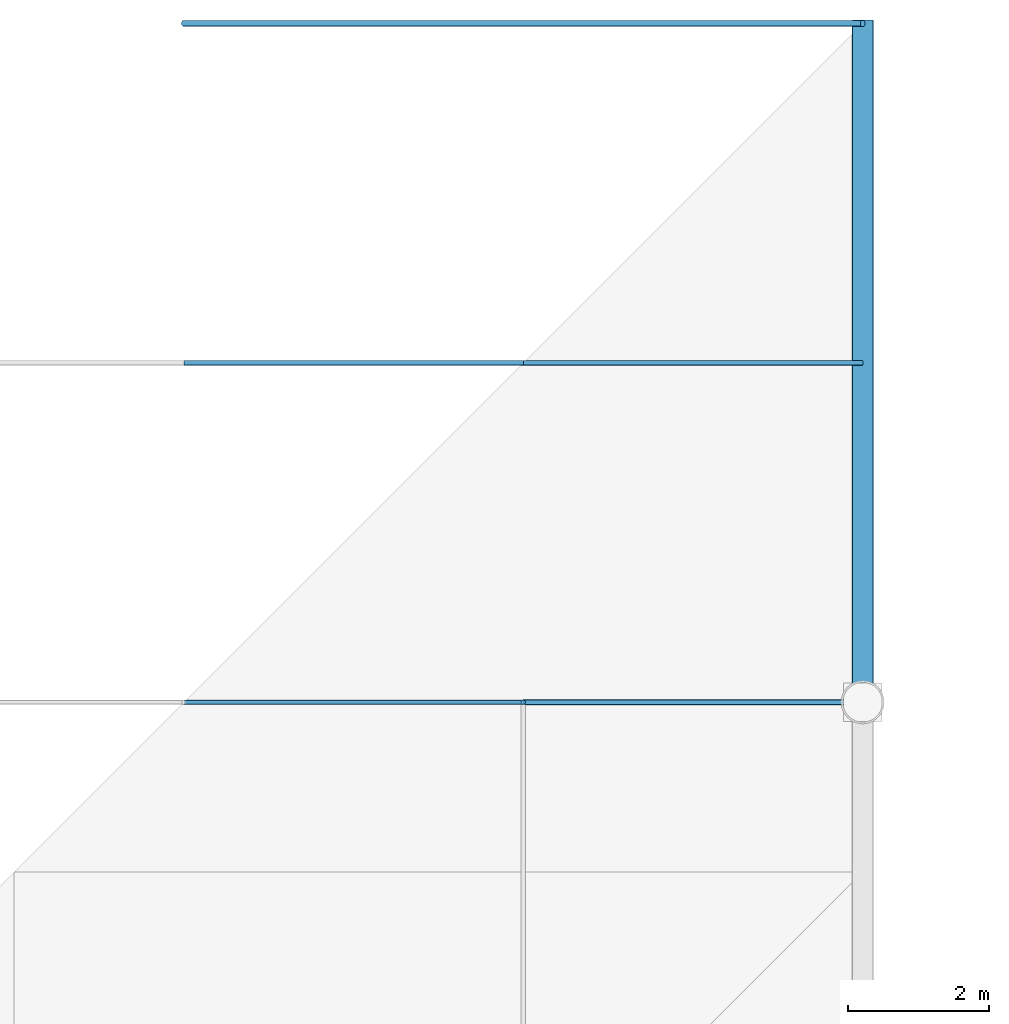
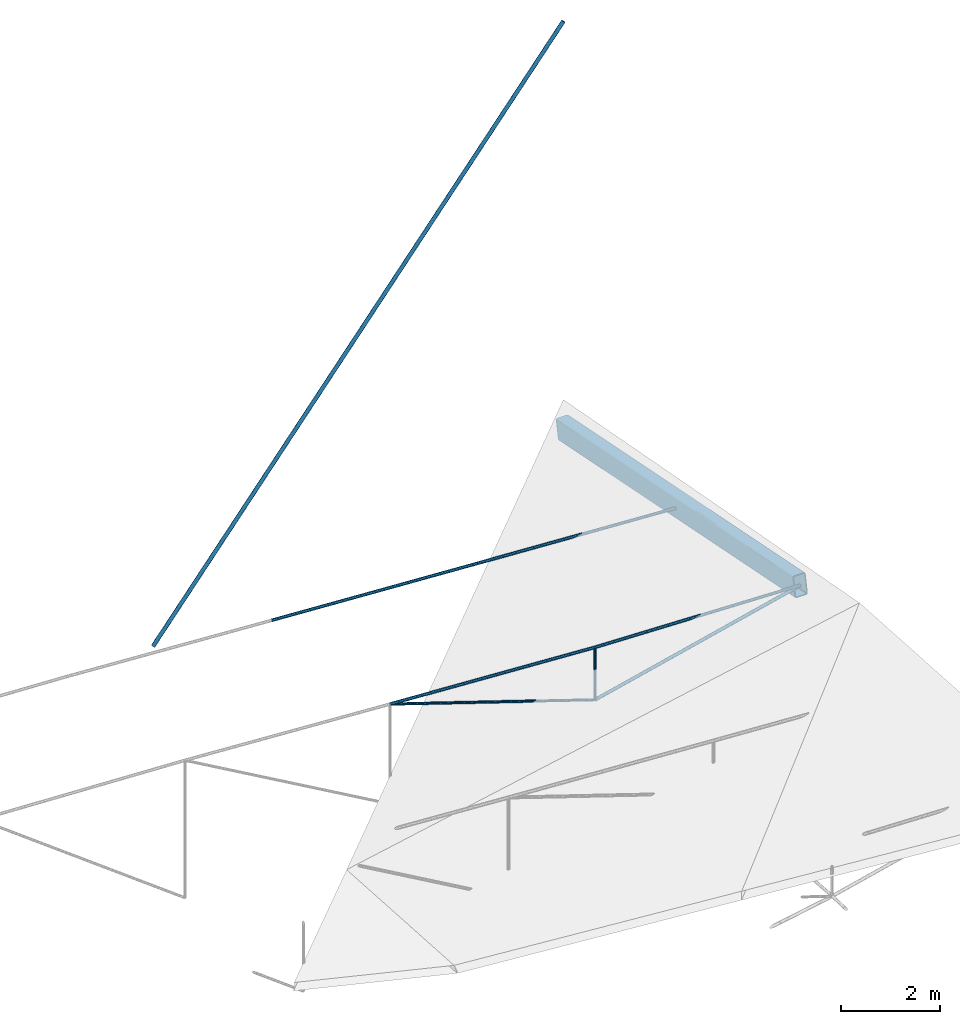
# One storey, part 34 of 50: 8 members, 1 beam.
"""IFC4 building model written with IfcOpenShell, lengths in metres."""

from ifc_helpers import new_model, si_unit, direction, frame, origin, origin_2d, place, context, subcontext, project, spatial, hollow_rectangle, circle, extrude, material, material_profile, profile_set, type_object, element, save


model = new_model("IFC4")

# Units and contexts
model_context = context("Model", 3, precision=1e-05, world=origin(), true_north=direction((0.0, 1.0)))
body_context = subcontext(model_context, "Body", "Model", "MODEL_VIEW")
ifc_project = project(units=[si_unit("LENGTHUNIT", "METRE"), si_unit("AREAUNIT", "SQUARE_METRE"), si_unit("VOLUMEUNIT", "CUBIC_METRE"), si_unit("PLANEANGLEUNIT", "RADIAN"), si_unit("MASSUNIT", "GRAM", prefix="KILO")], contexts=[model_context])

# Site, building, storey
site_placement = place(None, origin())
site = spatial("IfcSite", under=ifc_project, at=site_placement, CompositionType="ELEMENT")
building_placement = place(site_placement, origin())
building = spatial("IfcBuilding", under=site, at=building_placement, Name="Zevrakil Square Congress Hotel", CompositionType="ELEMENT")
storey_placement = place(building_placement, frame((0.0, 0.0, 21.5)))
storey = spatial("IfcBuildingStorey", under=building, at=storey_placement, Name="L06", CompositionType="ELEMENT", Elevation=21.5)

# Members
ifc_material_1 = material(Name="Steel S355", Category="steel")
ifc_material_profile_1 = material_profile(ifc_material_1, circle(Radius=0.030029296875, at=origin_2d()), Name="CABLE RD60")
ifc_profile_set_1 = profile_set([ifc_material_profile_1], Name="Steel S355")
member_type_1 = type_object("IfcMemberType", Name="MEM-CABLE-RD60", PredefinedType="USERDEFINED", material=ifc_profile_set_1)
member_1_placement = place(storey_placement, frame((160.800048828125, 103.199951171875, 0.01806640625), z_axis=(-0.95029004287, 0.0, 0.311366077828), x_axis=(0.0, -1.0, 0.0)))
element("IfcMember", 1, at=member_1_placement, inside=storey, type_object=member_type_1, Name="Congress cable-truss web diagonal CBD-08-9", ObjectType="ROOF CABLE", PredefinedType="USERDEFINED", context=body_context, shape_type="SweptSolid", body=[
    extrude(circle(Radius=0.030029296875, at=origin_2d()), origin(), (0.0, 0.0, 1.0), 5.051025390625),
])
member_2_placement = place(storey_placement, frame((160.800048828125, 103.199951171875, 0.01806640625), z_axis=(0.0, 0.0, 1.0), x_axis=(1.0, 0.0, 0.0)))
element("IfcMember", 2, at=member_2_placement, inside=storey, type_object=member_type_1, Name="Congress cable-truss vertical tie CBW-08-9", ObjectType="ROOF CABLE", PredefinedType="USERDEFINED", context=body_context, shape_type="SweptSolid", body=[
    extrude(circle(Radius=0.030029296875, at=origin_2d()), origin(), (0.0, 0.0, 1.0), 1.2978515625),
])
ifc_material_2 = material(Name="Steel S355", Category="steel")
ifc_material_profile_2 = material_profile(ifc_material_2, circle(Radius=0.033935546875, at=origin_2d()), Name="CABLE RD68")
ifc_profile_set_2 = profile_set([ifc_material_profile_2], Name="Steel S355")
member_type_2 = type_object("IfcMemberType", Name="MEM-CABLE-RD68", PredefinedType="USERDEFINED", material=ifc_profile_set_2)
member_3_placement = place(storey_placement, frame((156.0, 103.199951171875, 1.5908203125), z_axis=(0.998364054477, 0.0, -0.057177047217), x_axis=(0.0, 1.0, 0.0)))
element("IfcMember", 3, at=member_3_placement, inside=storey, type_object=member_type_2, Name="Congress lenticular upper cable chord CBU-08 seg 9", ObjectType="ROOF CABLE", PredefinedType="USERDEFINED", context=body_context, shape_type="SweptSolid", body=[
    extrude(circle(Radius=0.033935546875, at=origin_2d()), origin(), (0.0, 0.0, 1.0), 4.807861328125),
])
member_4_placement = place(storey_placement, frame((160.800048828125, 103.199951171875, 1.31591796875), z_axis=(0.999537768043, 0.0, -0.030401484426), x_axis=(0.0, 1.0, 0.0)))
element("IfcMember", 4, at=member_4_placement, inside=storey, type_object=member_type_2, Name="Congress lenticular upper cable chord CBU-08 seg 10", ObjectType="ROOF CABLE", PredefinedType="USERDEFINED", context=body_context, shape_type="SweptSolid", body=[
    extrude(circle(Radius=0.033935546875, at=origin_2d()), origin(), (0.0, 0.0, 1.0), 4.80224609375),
])
member_5_placement = place(storey_placement, frame((156.0, 108.0, 0.750732421875), z_axis=(0.998364054477, 0.0, -0.057177047217), x_axis=(0.0, 1.0, 0.0)))
element("IfcMember", 5, at=member_5_placement, inside=storey, type_object=member_type_2, Name="Congress lenticular upper cable chord CBU-09 seg 9", ObjectType="ROOF CABLE", PredefinedType="USERDEFINED", context=body_context, shape_type="SweptSolid", body=[
    extrude(circle(Radius=0.033935546875, at=origin_2d()), origin(), (0.0, 0.0, 1.0), 4.807861328125),
])
member_6_placement = place(storey_placement, frame((160.800048828125, 108.0, 0.475830078125), z_axis=(0.998469558713, 0.0, -0.055304071484), x_axis=(0.0, 1.0, 0.0)))
element("IfcMember", 6, at=member_6_placement, inside=storey, type_object=member_type_2, Name="Congress lenticular upper cable chord CBU-09 seg 10", ObjectType="ROOF CABLE", PredefinedType="USERDEFINED", context=body_context, shape_type="SweptSolid", body=[
    extrude(circle(Radius=0.033935546875, at=origin_2d()), origin(), (0.0, 0.0, 1.0), 4.807373046875),
])
ifc_material_3 = material(Name="Steel S355", Category="steel")
ifc_material_profile_3 = material_profile(ifc_material_3, circle(Radius=0.0380859375, at=origin_2d()), Name="CABLE RD76")
ifc_profile_set_3 = profile_set([ifc_material_profile_3], Name="Steel S355")
member_type_3 = type_object("IfcMemberType", Name="MEM-CABLE-RD76", PredefinedType="USERDEFINED", material=ifc_profile_set_3)
member_7_placement = place(storey_placement, frame((160.800048828125, 103.199951171875, 0.01806640625), z_axis=(0.972394484533, 0.0, 0.233343023144), x_axis=(0.0, 1.0, 0.0)))
element("IfcMember", 7, at=member_7_placement, inside=storey, type_object=member_type_3, Name="Congress saddle carrying cable CBS-08 seg 10", ObjectType="ROOF CABLE", PredefinedType="USERDEFINED", context=body_context, shape_type="SweptSolid", body=[
    extrude(circle(Radius=0.0380859375, at=origin_2d()), origin(), (0.0, 0.0, 1.0), 4.936279296875),
])
ifc_material_4 = material(Name="Steel S355", Category="steel")
ifc_material_profile_4 = material_profile(ifc_material_4, circle(Radius=0.0439453125, at=origin_2d()), Name="CABLE RD88")
ifc_profile_set_4 = profile_set([ifc_material_profile_4], Name="Steel S355")
member_type_4 = type_object("IfcMemberType", Name="MEM-CABLE-RD88", PredefinedType="USERDEFINED", material=ifc_profile_set_4)
member_8_placement = place(storey_placement, frame((165.60009765625, 112.800048828125, 9.300048828125), z_axis=(-0.621594122939, 0.0, -0.783339483447), x_axis=(0.0, -1.0, 0.0)))
element("IfcMember", 8, at=member_8_placement, inside=storey, type_object=member_type_4, Name="Mast MS-03 locked-coil stay cable CS-31", ObjectType="ROOF CABLE", PredefinedType="USERDEFINED", context=body_context, shape_type="SweptSolid", body=[
    extrude(circle(Radius=0.0439453125, at=origin_2d()), origin(), (0.0, 0.0, 1.0), 15.4443359375),
])

# Beam
ifc_material_5 = material(Name="Steel S355", Category="steel")
ifc_material_profile_5 = material_profile(ifc_material_5, hollow_rectangle(XDim=0.300048828125, YDim=0.5, WallThickness=0.02001953125, InnerFilletRadius=0.02001953125, OuterFilletRadius=0.0400390625, at=origin_2d()), Name="RHS 500x300x20")
ifc_profile_set_5 = profile_set([ifc_material_profile_5], Name="Steel S355")
beam_type = type_object("IfcBeamType", Name="RNG-RHS500", PredefinedType="USERDEFINED", material=ifc_profile_set_5)
beam_placement = place(storey_placement, frame((165.60009765625, 103.199951171875, 1.169921875), z_axis=(0.0, 0.980582593894, -0.196106543878), x_axis=(-1.0, 0.0, 0.0)))
element("IfcBeam", 9, at=beam_placement, inside=storey, type_object=beam_type, Name="Congress Hall compression ring beam RB-10", ObjectType="RING BEAM", PredefinedType="USERDEFINED", context=body_context, shape_type="SweptSolid", body=[
    extrude(hollow_rectangle(XDim=0.300048828125, YDim=0.5, WallThickness=0.02001953125, InnerFilletRadius=0.02001953125, OuterFilletRadius=0.0400390625, at=origin_2d()), origin(), (0.0, 0.0, 1.0), 9.790283203125),
])

save(model, "model.ifc")
